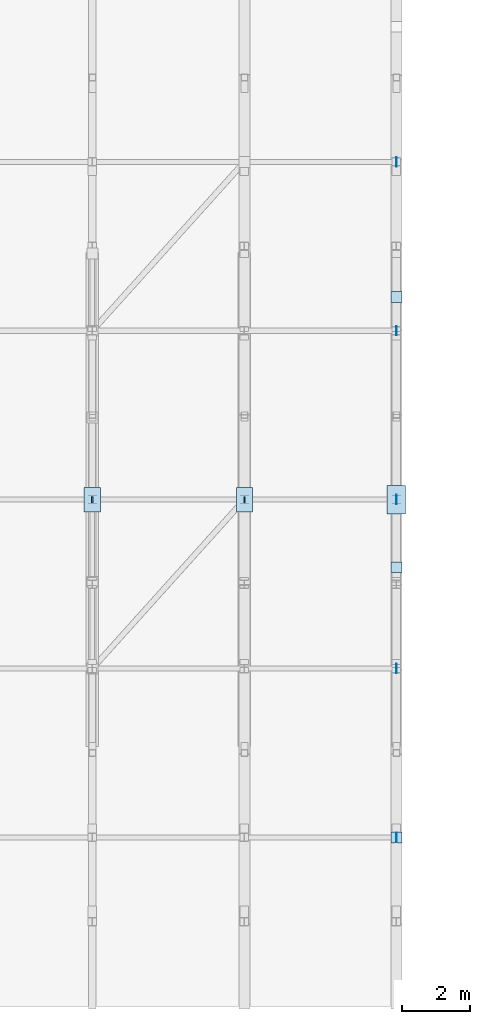
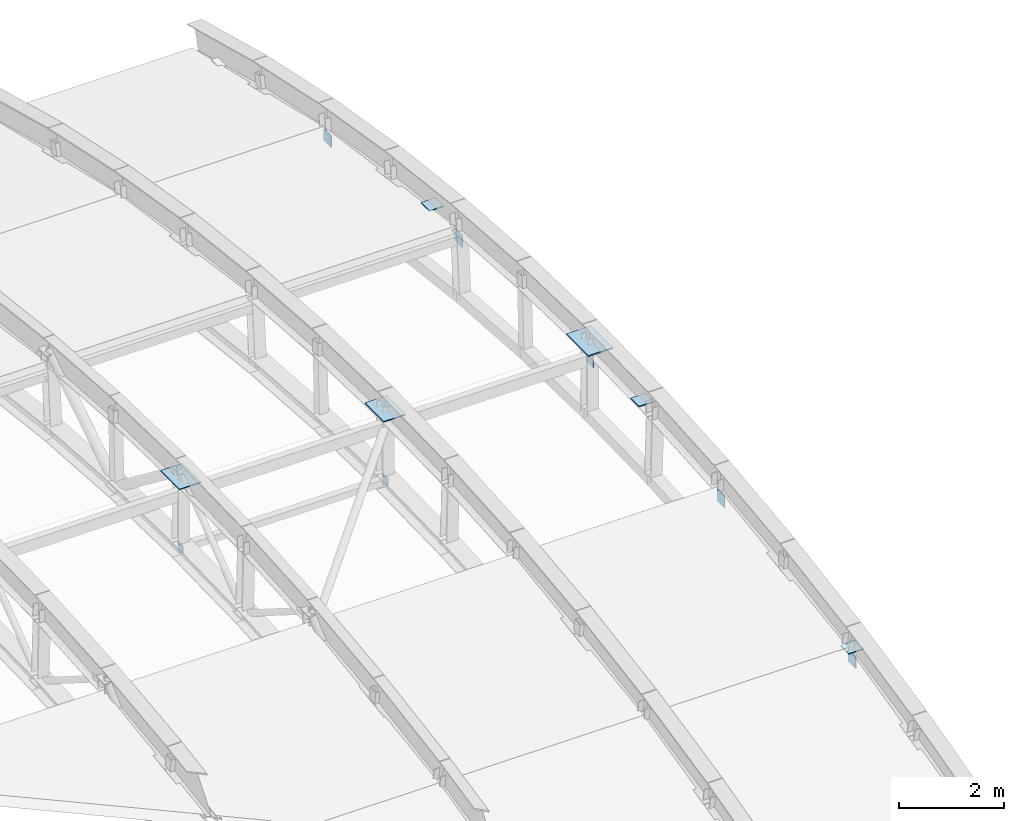
# One storey, part 40 of 53: 13 plates.
"""IFC4 building model written with IfcOpenShell, lengths in metres."""

from ifc_helpers import new_model, si_unit, direction, frame, origin, origin_2d, place, context, subcontext, project, spatial, rectangle, extrude, material, layer, layer_set, type_object, element, save


model = new_model("IFC4")

# Units and contexts
model_context = context("Model", 3, precision=1e-05, world=origin(), true_north=direction((0.0, 1.0)))
body_context = subcontext(model_context, "Body", "Model", "MODEL_VIEW")
ifc_project = project(units=[si_unit("LENGTHUNIT", "METRE"), si_unit("AREAUNIT", "SQUARE_METRE"), si_unit("VOLUMEUNIT", "CUBIC_METRE"), si_unit("PLANEANGLEUNIT", "RADIAN"), si_unit("MASSUNIT", "GRAM", prefix="KILO")], contexts=[model_context])

# Site, building, storey
site_placement = place(None, origin())
site = spatial("IfcSite", under=ifc_project, at=site_placement, CompositionType="ELEMENT")
building_placement = place(site_placement, origin())
building = spatial("IfcBuilding", under=site, at=building_placement, Name="Cazmaro Siding Exhibition Halls", CompositionType="ELEMENT")
storey_placement = place(building_placement, frame((0.0, 0.0, 21.0)))
storey = spatial("IfcBuildingStorey", under=building, at=storey_placement, Name="L04", CompositionType="ELEMENT", Elevation=21.0)

# Plates
ifc_material_1 = material(Name="Steel ASTM A572 Grade 50", Category="steel")
ifc_layer_1 = layer(ifc_material_1, 0.02001953125)
ifc_layer_set_1 = layer_set([ifc_layer_1], Name="Steel ASTM A572 Grade 50")
plate_type_1 = type_object("IfcPlateType", Name="CP-02", PredefinedType="SHEET", material=ifc_layer_set_1)
for number, where, z_axis, x_axis, name in (
    (1, (171.0, 84.0, 1.277099609375), (0.0, 0.0, 1.0), (1.0, 0.0, 0.0), "HSS column top end-cap plate CP-02"),
    (2, (171.0, 92.0, 2.18310546875), (0.0, 0.0, 1.0), (1.0, 0.0, 0.0), "HSS column top end-cap plate CP-02"),
    (3, (171.0, 100.0, 1.883056640625), (0.0, 0.0, 1.0), (1.0, 0.0, 0.0), "HSS column top end-cap plate CP-02"),
):
    element("IfcPlate", number, at=place(storey_placement, frame(where, z_axis=z_axis, x_axis=x_axis)), inside=storey, type_object=plate_type_1, Name=name, PredefinedType="SHEET", context=body_context, shape_type="SweptSolid", body=[
        extrude(rectangle(XDim=0.320068359375, YDim=0.320068359375, at=origin_2d()), origin(), (0.0, 0.0, 1.0), 0.02001953125),
    ])
ifc_material_2 = material(Name="Steel ASTM A572 Grade 50", Category="steel")
ifc_layer_2 = layer(ifc_material_2, 0.02001953125)
ifc_layer_set_2 = layer_set([ifc_layer_2], Name="Steel ASTM A572 Grade 50")
plate_type_2 = type_object("IfcPlateType", Name="CP-11", PredefinedType="SHEET", material=ifc_layer_set_2)
for number, where, z_axis, x_axis, name in (
    (4, (161.985107421875, 94.0, 0.699951171875), (1.0, 0.0, 0.0), (0.0, 1.0, 0.0), "HSS strut end-cap plate CP-11"),
    (5, (166.494873046875, 94.0, 0.699951171875), (1.0, 0.0, 0.0), (0.0, 1.0, 0.0), "HSS strut end-cap plate CP-11"),
):
    element("IfcPlate", number, at=place(storey_placement, frame(where, z_axis=z_axis, x_axis=x_axis)), inside=storey, type_object=plate_type_2, Name=name, PredefinedType="SHEET", context=body_context, shape_type="SweptSolid", body=[
        extrude(rectangle(XDim=0.179931640625, YDim=0.179931640625, at=origin_2d()), origin(), (0.0, 0.0, 1.0), 0.02001953125),
    ])
ifc_material_3 = material(Name="Steel ASTM A572 Grade 50", Category="steel")
ifc_layer_3 = layer(ifc_material_3, 0.02001953125)
ifc_layer_set_3 = layer_set([ifc_layer_3], Name="Steel ASTM A572 Grade 50")
plate_type_3 = type_object("IfcPlateType", Name="CP-12", PredefinedType="SHEET", material=ifc_layer_set_3)
for number, where, z_axis, x_axis, name in (
    (6, (170.994873046875, 84.0, 1.01708984375), (1.0, 0.0, 0.0), (0.0, 1.0, 0.0), "HSS purlin end-cap plate CP-12"),
    (7, (170.994873046875, 89.0, 1.72607421875), (1.0, 0.0, 0.0), (0.0, 1.0, 0.0), "HSS purlin end-cap plate CP-12"),
    (8, (170.994873046875, 94.0, 1.9599609375), (1.0, 0.0, 0.0), (0.0, 1.0, 0.0), "HSS purlin end-cap plate CP-12"),
    (9, (170.994873046875, 99.0, 1.72607421875), (1.0, 0.0, 0.0), (0.0, 1.0, 0.0), "HSS purlin end-cap plate CP-12"),
    (10, (170.994873046875, 104.0, 1.01708984375), (1.0, 0.0, 0.0), (0.0, 1.0, 0.0), "HSS purlin end-cap plate CP-12"),
):
    element("IfcPlate", number, at=place(storey_placement, frame(where, z_axis=z_axis, x_axis=x_axis)), inside=storey, type_object=plate_type_3, Name=name, PredefinedType="SHEET", context=body_context, shape_type="SweptSolid", body=[
        extrude(rectangle(XDim=0.280029296875, YDim=0.280029296875, at=origin_2d()), origin(), (0.0, 0.0, 1.0), 0.02001953125),
    ])
ifc_material_4 = material(Name="Steel ASTM A572 Grade 50", Category="steel")
ifc_layer_4 = layer(ifc_material_4, 0.02001953125)
ifc_layer_set_4 = layer_set([ifc_layer_4], Name="Steel ASTM A572 Grade 50")
plate_type_4 = type_object("IfcPlateType", Name="GP-02", PredefinedType="USERDEFINED", material=ifc_layer_set_4)
for number, where, z_axis, x_axis, name in (
    (11, (162.0, 94.0, 2.340087890625), (0.0, 0.0, 1.0), (0.0, 1.0, 0.0), "Space frame vault crown gusset plate GP-02 node TN-02"),
    (12, (166.5, 94.0, 2.340087890625), (0.0, 0.0, 1.0), (0.0, 1.0, 0.0), "Space frame vault crown gusset plate GP-02 node TN-02"),
):
    element("IfcPlate", number, at=place(storey_placement, frame(where, z_axis=z_axis, x_axis=x_axis)), inside=storey, type_object=plate_type_4, Name=name, ObjectType="GUSSET PLATE", PredefinedType="USERDEFINED", context=body_context, shape_type="SweptSolid", body=[
        extrude(rectangle(XDim=0.719970703125, YDim=0.47998046875, at=origin_2d()), origin(), (0.0, 0.0, 1.0), 0.02001953125),
    ])
ifc_material_5 = material(Name="Steel ASTM A572 Grade 50", Category="steel")
ifc_layer_5 = layer(ifc_material_5, 0.030029296875)
ifc_layer_set_5 = layer_set([ifc_layer_5], Name="Steel ASTM A572 Grade 50")
plate_type_5 = type_object("IfcPlateType", Name="GP-03", PredefinedType="USERDEFINED", material=ifc_layer_set_5)
plate_placement = place(storey_placement, frame((171.0, 94.0, 2.3349609375), z_axis=(0.0, 0.0, 1.0), x_axis=(0.0, 1.0, 0.0)))
element("IfcPlate", 13, at=plate_placement, inside=storey, type_object=plate_type_5, Name="Space frame vault crown gusset plate GP-03 node TN-02", ObjectType="GUSSET PLATE", PredefinedType="USERDEFINED", context=body_context, shape_type="SweptSolid", body=[
    extrude(rectangle(XDim=0.840087890625, YDim=0.5400390625, at=origin_2d()), origin(), (0.0, 0.0, 1.0), 0.030029296875),
])

save(model, "model.ifc")
